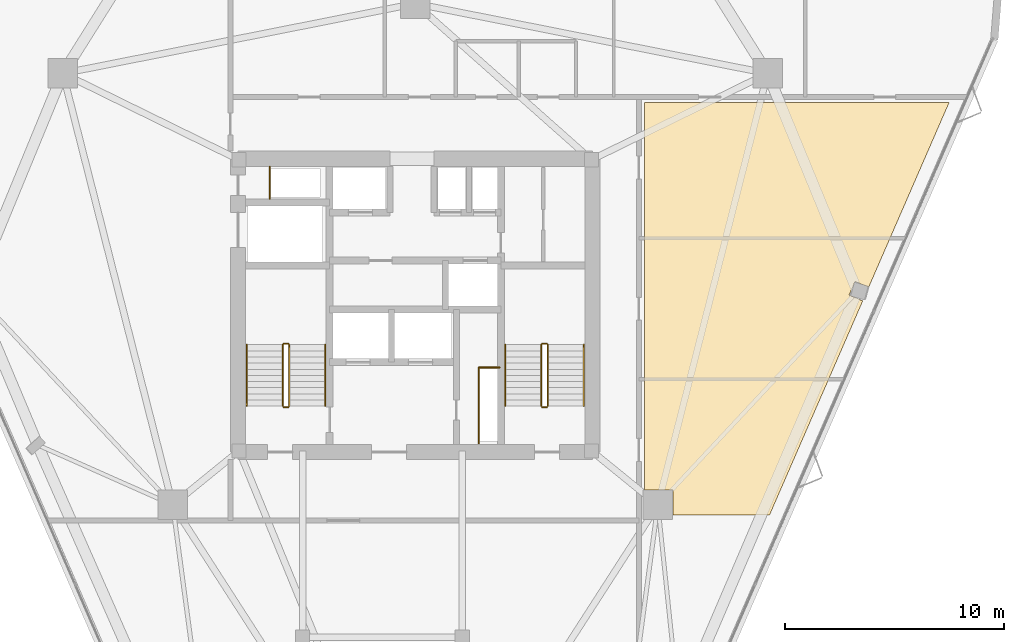
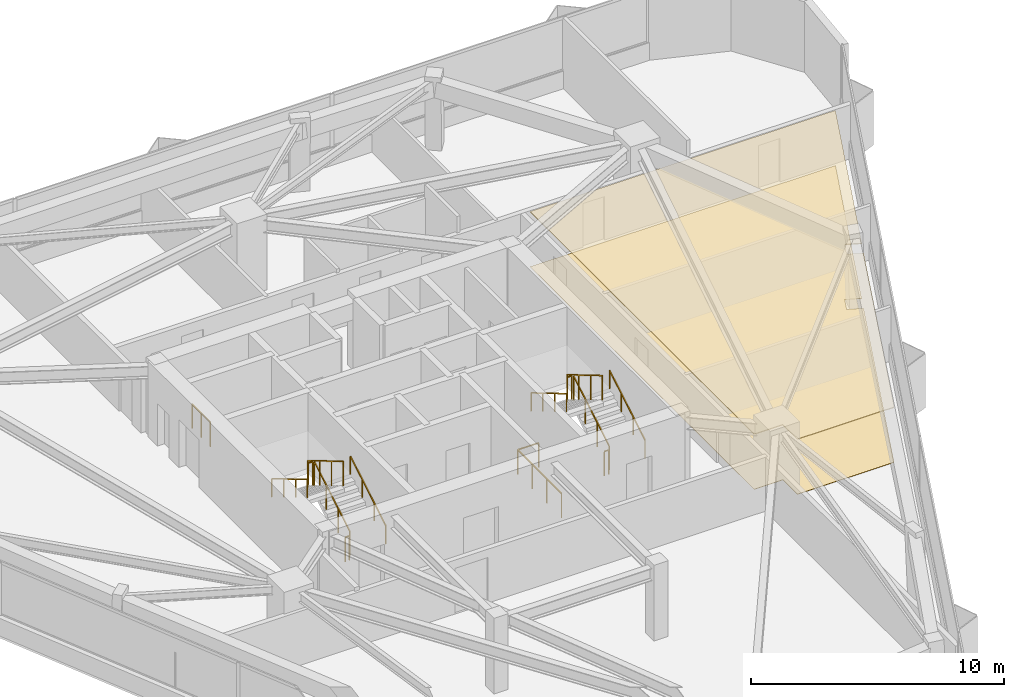
# One storey, part 12 of 12: 14 railings, 2 coverings.
"""IFC4 building model written with IfcOpenShell, lengths in metres."""

from ifc_helpers import new_model, si_unit, direction, frame, origin, origin_2d, place, context, subcontext, project, spatial, polyline, rectangle, outline, extrude, material, layer, layer_set, type_object, element, save


model = new_model("IFC4")

# Units and contexts
model_context = context("Model", 3, precision=1e-05, world=origin(), true_north=direction((0.0, 1.0)))
body_context = subcontext(model_context, "Body", "Model", "MODEL_VIEW")
ifc_project = project(units=[si_unit("LENGTHUNIT", "METRE"), si_unit("AREAUNIT", "SQUARE_METRE"), si_unit("VOLUMEUNIT", "CUBIC_METRE"), si_unit("PLANEANGLEUNIT", "RADIAN"), si_unit("MASSUNIT", "GRAM", prefix="KILO")], contexts=[model_context])

# Site, building, storey
site_placement = place(None, origin())
site = spatial("IfcSite", under=ifc_project, at=site_placement, CompositionType="ELEMENT")
building_placement = place(site_placement, origin())
building = spatial("IfcBuilding", under=site, at=building_placement, Name="Talyreon Biosciences Tower", CompositionType="ELEMENT")
storey_placement = place(building_placement, frame((0.0, 0.0, 179.39990234375)))
storey = spatial("IfcBuildingStorey", under=building, at=storey_placement, Name="L47", CompositionType="ELEMENT", Elevation=179.39990234375)

# Coverings
ifc_material_1 = material(Name="Cleanable acoustic mineral-fibre ceiling tile", Category="gypsum")
ifc_layer_1 = layer(ifc_material_1, 0.0400390625)
ifc_layer_set_1 = layer_set([ifc_layer_1], Name="Cleanable acoustic mineral-fibre ceiling tile")
covering_type_1 = type_object("IfcCoveringType", Name="AcousticCleanroomCeiling_40", PredefinedType="CEILING", material=ifc_layer_set_1)
covering_1_placement = place(storey_placement, frame((0.0, 0.0, 2.64013671875)))
element("IfcCovering", 1, at=covering_1_placement, inside=storey, type_object=covering_type_1, Name="L47 Acoustic Laboratory Ceiling", PredefinedType="CEILING", context=body_context, shape_type="SweptSolid", body=[
    extrude(outline(polyline([(77.776123046875, 58.419921875), (77.776123046875, 59.5703125), (76.469970703125, 59.5703125), (76.469970703125, 77.27001953125), (90.3955078125, 77.27001953125), (86.72021484375, 68.826171875), (86.09814453125, 69.09716796875), (85.82666015625, 68.4736328125), (86.44873046875, 68.20263671875), (82.19091796875, 58.419921875), (77.776123046875, 58.419921875)])), origin(), (0.0, 0.0, 1.0), 0.0400390625),
])
ifc_material_2 = material(Name="Chemical-resistant seamless epoxy resin flooring", Category="plastic")
ifc_layer_2 = layer(ifc_material_2, 0.014892578125)
ifc_layer_set_2 = layer_set([ifc_layer_2], Name="Chemical-resistant seamless epoxy resin flooring")
covering_type_2 = type_object("IfcCoveringType", Name="SeamlessEpoxyLabFlooring_15", PredefinedType="FLOORING", material=ifc_layer_set_2)
covering_2_placement = place(storey_placement, origin())
element("IfcCovering", 2, at=covering_2_placement, inside=storey, type_object=covering_type_2, Name="L47 Laboratory Floor Finish", PredefinedType="FLOORING", context=body_context, shape_type="SweptSolid", body=[
    extrude(outline(polyline([(77.776123046875, 58.419921875), (77.776123046875, 59.5703125), (76.469970703125, 59.5703125), (76.469970703125, 77.27001953125), (90.3955078125, 77.27001953125), (86.72021484375, 68.826171875), (86.09814453125, 69.09716796875), (85.82666015625, 68.4736328125), (86.44873046875, 68.20263671875), (82.19091796875, 58.419921875), (77.776123046875, 58.419921875)])), origin(), (0.0, 0.0, 1.0), 0.01513671875),
])

# Railings
ifc_material_3 = material(Name="Brushed stainless-steel tubular handrail", Category="steel")
railing_type_1 = type_object("IfcRailingType", Name="StairWallHandrail_900", PredefinedType="HANDRAIL", material=ifc_material_3)
railing_1_placement = place(storey_placement, frame((61.8798828125, 63.39990234375, 0.166015625)))
element("IfcRailing", 3, at=railing_1_placement, inside=storey, type_object=railing_type_1, Name="L47 ST-1 stair handrail 1", PredefinedType="HANDRAIL", context=body_context, shape_type="SweptSolid", body=[
    extrude(rectangle(XDim=0.048095703125, YDim=0.048095703125, at=origin_2d()), frame((0.0, 0.0, 0.8759765625), z_axis=(0.0, 0.860306154799, 0.50977771628), x_axis=(-1.0, 0.0, 0.0)), (0.0, 0.0, 1.0), 3.254638671875),
    extrude(rectangle(XDim=0.0419921875, YDim=0.0419921875, at=origin_2d()), origin(), (0.0, 0.0, 1.0), 0.851806640625),
    extrude(rectangle(XDim=0.0419921875, YDim=0.0419921875, at=origin_2d()), frame((0.0, 0.933349609375, 0.552978515625)), (0.0, 0.0, 1.0), 0.851806640625),
    extrude(rectangle(XDim=0.0419921875, YDim=0.0419921875, at=origin_2d()), frame((0.0, 1.86669921875, 1.106201171875)), (0.0, 0.0, 1.0), 0.851806640625),
    extrude(rectangle(XDim=0.0419921875, YDim=0.0419921875, at=origin_2d()), frame((0.0, 2.800048828125, 1.6591796875)), (0.0, 0.0, 1.0), 0.851806640625),
])
railing_2_placement = place(storey_placement, frame((58.300048828125, 66.199951171875, 1.990966796875)))
element("IfcRailing", 4, at=railing_2_placement, inside=storey, type_object=railing_type_1, Name="L47 ST-1 stair handrail 2", PredefinedType="HANDRAIL", context=body_context, shape_type="SweptSolid", body=[
    extrude(rectangle(XDim=0.048095703125, YDim=0.048095703125, at=origin_2d()), frame((0.0, 0.0, 0.8759765625), z_axis=(0.0, -0.860306154799, 0.50977771628), x_axis=(1.0, 0.0, 0.0)), (0.0, 0.0, 1.0), 3.254638671875),
    extrude(rectangle(XDim=0.0419921875, YDim=0.0419921875, at=origin_2d()), origin(), (0.0, 0.0, 1.0), 0.851806640625),
    extrude(rectangle(XDim=0.0419921875, YDim=0.0419921875, at=origin_2d()), frame((0.0, -0.933349609375, 0.552978515625)), (0.0, 0.0, 1.0), 0.851806640625),
    extrude(rectangle(XDim=0.0419921875, YDim=0.0419921875, at=origin_2d()), frame((0.0, -1.86669921875, 1.106201171875)), (0.0, 0.0, 1.0), 0.851806640625),
    extrude(rectangle(XDim=0.0419921875, YDim=0.0419921875, at=origin_2d()), frame((0.0, -2.800048828125, 1.6591796875)), (0.0, 0.0, 1.0), 0.851806640625),
])
railing_3_placement = place(storey_placement, frame((73.699951171875, 63.39990234375, 0.166015625)))
element("IfcRailing", 5, at=railing_3_placement, inside=storey, type_object=railing_type_1, Name="L47 ST-2 stair handrail 1", PredefinedType="HANDRAIL", context=body_context, shape_type="SweptSolid", body=[
    extrude(rectangle(XDim=0.048095703125, YDim=0.048095703125, at=origin_2d()), frame((0.0, 0.0, 0.8759765625), z_axis=(0.0, 0.860306154799, 0.50977771628), x_axis=(-1.0, 0.0, 0.0)), (0.0, 0.0, 1.0), 3.254638671875),
    extrude(rectangle(XDim=0.0419921875, YDim=0.0419921875, at=origin_2d()), origin(), (0.0, 0.0, 1.0), 0.851806640625),
    extrude(rectangle(XDim=0.0419921875, YDim=0.0419921875, at=origin_2d()), frame((0.0, 0.933349609375, 0.552978515625)), (0.0, 0.0, 1.0), 0.851806640625),
    extrude(rectangle(XDim=0.0419921875, YDim=0.0419921875, at=origin_2d()), frame((0.0, 1.86669921875, 1.106201171875)), (0.0, 0.0, 1.0), 0.851806640625),
    extrude(rectangle(XDim=0.0419921875, YDim=0.0419921875, at=origin_2d()), frame((0.0, 2.800048828125, 1.6591796875)), (0.0, 0.0, 1.0), 0.851806640625),
])
railing_4_placement = place(storey_placement, frame((70.1201171875, 66.199951171875, 1.990966796875)))
element("IfcRailing", 6, at=railing_4_placement, inside=storey, type_object=railing_type_1, Name="L47 ST-2 stair handrail 2", PredefinedType="HANDRAIL", context=body_context, shape_type="SweptSolid", body=[
    extrude(rectangle(XDim=0.048095703125, YDim=0.048095703125, at=origin_2d()), frame((0.0, 0.0, 0.8759765625), z_axis=(0.0, -0.860306154799, 0.50977771628), x_axis=(1.0, 0.0, 0.0)), (0.0, 0.0, 1.0), 3.254638671875),
    extrude(rectangle(XDim=0.0419921875, YDim=0.0419921875, at=origin_2d()), origin(), (0.0, 0.0, 1.0), 0.851806640625),
    extrude(rectangle(XDim=0.0419921875, YDim=0.0419921875, at=origin_2d()), frame((0.0, -0.933349609375, 0.552978515625)), (0.0, 0.0, 1.0), 0.851806640625),
    extrude(rectangle(XDim=0.0419921875, YDim=0.0419921875, at=origin_2d()), frame((0.0, -1.86669921875, 1.106201171875)), (0.0, 0.0, 1.0), 0.851806640625),
    extrude(rectangle(XDim=0.0419921875, YDim=0.0419921875, at=origin_2d()), frame((0.0, -2.800048828125, 1.6591796875)), (0.0, 0.0, 1.0), 0.851806640625),
])
ifc_material_4 = material(Name="Painted galvanised steel post-and-rail balustrade", Category="steel")
railing_type_2 = type_object("IfcRailingType", Name="TerraceStairGuard_1200", PredefinedType="GUARDRAIL", material=ifc_material_4)
railing_5_placement = place(storey_placement, frame((60.239990234375, 63.39990234375, 0.166015625)))
element("IfcRailing", 7, at=railing_5_placement, inside=storey, type_object=railing_type_2, Name="L47 ST-1 stair guard 1", PredefinedType="GUARDRAIL", context=body_context, shape_type="SweptSolid", body=[
    extrude(rectangle(XDim=0.048095703125, YDim=0.048095703125, at=origin_2d()), frame((0.0, 0.0, 1.17578125), z_axis=(0.0, 0.860306154799, 0.50977771628), x_axis=(-1.0, 0.0, 0.0)), (0.0, 0.0, 1.0), 3.254638671875),
    extrude(rectangle(XDim=0.0419921875, YDim=0.0419921875, at=origin_2d()), origin(), (0.0, 0.0, 1.0), 1.15185546875),
    extrude(rectangle(XDim=0.0419921875, YDim=0.0419921875, at=origin_2d()), frame((0.0, 0.933349609375, 0.552978515625)), (0.0, 0.0, 1.0), 1.15185546875),
    extrude(rectangle(XDim=0.0419921875, YDim=0.0419921875, at=origin_2d()), frame((0.0, 1.86669921875, 1.106201171875)), (0.0, 0.0, 1.0), 1.15185546875),
    extrude(rectangle(XDim=0.0419921875, YDim=0.0419921875, at=origin_2d()), frame((0.0, 2.800048828125, 1.6591796875)), (0.0, 0.0, 1.0), 1.15185546875),
])
railing_6_placement = place(storey_placement, frame((60.18994140625, 66.25, 1.8251953125)))
element("IfcRailing", 8, at=railing_6_placement, inside=storey, type_object=railing_type_2, Name="L47 ST-1 stair guard 2", PredefinedType="GUARDRAIL", context=body_context, shape_type="SweptSolid", body=[
    extrude(rectangle(XDim=0.048095703125, YDim=0.048095703125, at=origin_2d()), frame((0.0, 0.0, 1.17578125), z_axis=(-1.0, 0.0, 0.0), x_axis=(0.0, -1.0, 0.0)), (0.0, 0.0, 1.0), 0.199951171875),
    extrude(rectangle(XDim=0.0419921875, YDim=0.0419921875, at=origin_2d()), origin(), (0.0, 0.0, 1.0), 1.15185546875),
    extrude(rectangle(XDim=0.0419921875, YDim=0.0419921875, at=origin_2d()), frame((-0.199951171875, 0.0, 0.0)), (0.0, 0.0, 1.0), 1.15185546875),
])
railing_7_placement = place(storey_placement, frame((59.93994140625, 66.199951171875, 1.990966796875)))
element("IfcRailing", 9, at=railing_7_placement, inside=storey, type_object=railing_type_2, Name="L47 ST-1 stair guard 3", PredefinedType="GUARDRAIL", context=body_context, shape_type="SweptSolid", body=[
    extrude(rectangle(XDim=0.048095703125, YDim=0.048095703125, at=origin_2d()), frame((0.0, 0.0, 1.17578125), z_axis=(0.0, -0.860306154799, 0.50977771628), x_axis=(1.0, 0.0, 0.0)), (0.0, 0.0, 1.0), 3.254638671875),
    extrude(rectangle(XDim=0.0419921875, YDim=0.0419921875, at=origin_2d()), origin(), (0.0, 0.0, 1.0), 1.15185546875),
    extrude(rectangle(XDim=0.0419921875, YDim=0.0419921875, at=origin_2d()), frame((0.0, -0.933349609375, 0.552978515625)), (0.0, 0.0, 1.0), 1.15185546875),
    extrude(rectangle(XDim=0.0419921875, YDim=0.0419921875, at=origin_2d()), frame((0.0, -1.86669921875, 1.106201171875)), (0.0, 0.0, 1.0), 1.15185546875),
    extrude(rectangle(XDim=0.0419921875, YDim=0.0419921875, at=origin_2d()), frame((0.0, -2.800048828125, 1.6591796875)), (0.0, 0.0, 1.0), 1.15185546875),
])
railing_8_placement = place(storey_placement, frame((60.18994140625, 63.35009765625, 0.0)))
element("IfcRailing", 10, at=railing_8_placement, inside=storey, type_object=railing_type_2, Name="L47 ST-1 stair guard 4", PredefinedType="GUARDRAIL", context=body_context, shape_type="SweptSolid", body=[
    extrude(rectangle(XDim=0.048095703125, YDim=0.048095703125, at=origin_2d()), frame((0.0, 0.0, 1.17578125), z_axis=(-1.0, 0.0, 0.0), x_axis=(0.0, -1.0, 0.0)), (0.0, 0.0, 1.0), 0.199951171875),
    extrude(rectangle(XDim=0.0419921875, YDim=0.0419921875, at=origin_2d()), origin(), (0.0, 0.0, 1.0), 1.15185546875),
    extrude(rectangle(XDim=0.0419921875, YDim=0.0419921875, at=origin_2d()), frame((-0.199951171875, 0.0, 0.0)), (0.0, 0.0, 1.0), 1.15185546875),
])
railing_9_placement = place(storey_placement, frame((72.06005859375, 63.39990234375, 0.166015625)))
element("IfcRailing", 11, at=railing_9_placement, inside=storey, type_object=railing_type_2, Name="L47 ST-2 stair guard 1", PredefinedType="GUARDRAIL", context=body_context, shape_type="SweptSolid", body=[
    extrude(rectangle(XDim=0.048095703125, YDim=0.048095703125, at=origin_2d()), frame((0.0, 0.0, 1.17578125), z_axis=(0.0, 0.860306154799, 0.50977771628), x_axis=(-1.0, 0.0, 0.0)), (0.0, 0.0, 1.0), 3.254638671875),
    extrude(rectangle(XDim=0.0419921875, YDim=0.0419921875, at=origin_2d()), origin(), (0.0, 0.0, 1.0), 1.15185546875),
    extrude(rectangle(XDim=0.0419921875, YDim=0.0419921875, at=origin_2d()), frame((0.0, 0.933349609375, 0.552978515625)), (0.0, 0.0, 1.0), 1.15185546875),
    extrude(rectangle(XDim=0.0419921875, YDim=0.0419921875, at=origin_2d()), frame((0.0, 1.86669921875, 1.106201171875)), (0.0, 0.0, 1.0), 1.15185546875),
    extrude(rectangle(XDim=0.0419921875, YDim=0.0419921875, at=origin_2d()), frame((0.0, 2.800048828125, 1.6591796875)), (0.0, 0.0, 1.0), 1.15185546875),
])
railing_10_placement = place(storey_placement, frame((72.010009765625, 66.25, 1.8251953125)))
element("IfcRailing", 12, at=railing_10_placement, inside=storey, type_object=railing_type_2, Name="L47 ST-2 stair guard 2", PredefinedType="GUARDRAIL", context=body_context, shape_type="SweptSolid", body=[
    extrude(rectangle(XDim=0.048095703125, YDim=0.048095703125, at=origin_2d()), frame((0.0, 0.0, 1.17578125), z_axis=(-1.0, 0.0, 0.0), x_axis=(0.0, -1.0, 0.0)), (0.0, 0.0, 1.0), 0.199951171875),
    extrude(rectangle(XDim=0.0419921875, YDim=0.0419921875, at=origin_2d()), origin(), (0.0, 0.0, 1.0), 1.15185546875),
    extrude(rectangle(XDim=0.0419921875, YDim=0.0419921875, at=origin_2d()), frame((-0.199951171875, 0.0, 0.0)), (0.0, 0.0, 1.0), 1.15185546875),
])
railing_11_placement = place(storey_placement, frame((71.760009765625, 66.199951171875, 1.990966796875)))
element("IfcRailing", 13, at=railing_11_placement, inside=storey, type_object=railing_type_2, Name="L47 ST-2 stair guard 3", PredefinedType="GUARDRAIL", context=body_context, shape_type="SweptSolid", body=[
    extrude(rectangle(XDim=0.048095703125, YDim=0.048095703125, at=origin_2d()), frame((0.0, 0.0, 1.17578125), z_axis=(0.0, -0.860306154799, 0.50977771628), x_axis=(1.0, 0.0, 0.0)), (0.0, 0.0, 1.0), 3.254638671875),
    extrude(rectangle(XDim=0.0419921875, YDim=0.0419921875, at=origin_2d()), origin(), (0.0, 0.0, 1.0), 1.15185546875),
    extrude(rectangle(XDim=0.0419921875, YDim=0.0419921875, at=origin_2d()), frame((0.0, -0.933349609375, 0.552978515625)), (0.0, 0.0, 1.0), 1.15185546875),
    extrude(rectangle(XDim=0.0419921875, YDim=0.0419921875, at=origin_2d()), frame((0.0, -1.86669921875, 1.106201171875)), (0.0, 0.0, 1.0), 1.15185546875),
    extrude(rectangle(XDim=0.0419921875, YDim=0.0419921875, at=origin_2d()), frame((0.0, -2.800048828125, 1.6591796875)), (0.0, 0.0, 1.0), 1.15185546875),
])
railing_12_placement = place(storey_placement, frame((72.010009765625, 63.35009765625, 0.0)))
element("IfcRailing", 14, at=railing_12_placement, inside=storey, type_object=railing_type_2, Name="L47 ST-2 stair guard 4", PredefinedType="GUARDRAIL", context=body_context, shape_type="SweptSolid", body=[
    extrude(rectangle(XDim=0.048095703125, YDim=0.048095703125, at=origin_2d()), frame((0.0, 0.0, 1.17578125), z_axis=(-1.0, 0.0, 0.0), x_axis=(0.0, -1.0, 0.0)), (0.0, 0.0, 1.0), 0.199951171875),
    extrude(rectangle(XDim=0.0419921875, YDim=0.0419921875, at=origin_2d()), origin(), (0.0, 0.0, 1.0), 1.15185546875),
    extrude(rectangle(XDim=0.0419921875, YDim=0.0419921875, at=origin_2d()), frame((-0.199951171875, 0.0, 0.0)), (0.0, 0.0, 1.0), 1.15185546875),
])
railing_13_placement = place(storey_placement, frame((59.35009765625, 72.8798828125, 0.0)))
element("IfcRailing", 15, at=railing_13_placement, inside=storey, type_object=railing_type_2, Name="L47 Exhaust Riser Maintenance Guardrail", PredefinedType="GUARDRAIL", context=body_context, shape_type="SweptSolid", body=[
    extrude(rectangle(XDim=0.048095703125, YDim=0.048095703125, at=origin_2d()), frame((0.0, 0.0, 1.17578125), z_axis=(0.0, 1.0, 0.0), x_axis=(-1.0, 0.0, 0.0)), (0.0, 0.0, 1.0), 1.4501953125),
    extrude(rectangle(XDim=0.0419921875, YDim=0.0419921875, at=origin_2d()), origin(), (0.0, 0.0, 1.0), 1.15185546875),
    extrude(rectangle(XDim=0.0419921875, YDim=0.0419921875, at=origin_2d()), frame((0.0, 0.72509765625, 0.0)), (0.0, 0.0, 1.0), 1.15185546875),
    extrude(rectangle(XDim=0.0419921875, YDim=0.0419921875, at=origin_2d()), frame((0.0, 1.4501953125, 0.0)), (0.0, 0.0, 1.0), 1.15185546875),
])
railing_14_placement = place(storey_placement, frame((68.909912109375, 61.699951171875, 0.0)))
element("IfcRailing", 16, at=railing_14_placement, inside=storey, type_object=railing_type_2, Name="L47 Electrical Riser Maintenance Guardrail", PredefinedType="GUARDRAIL", context=body_context, shape_type="SweptSolid", body=[
    extrude(rectangle(XDim=0.048095703125, YDim=0.048095703125, at=origin_2d()), frame((0.0, 0.0, 1.17578125), z_axis=(0.0, 1.0, 0.0), x_axis=(-1.0, 0.0, 0.0)), (0.0, 0.0, 1.0), 3.4599609375),
    extrude(rectangle(XDim=0.048095703125, YDim=0.048095703125, at=origin_2d()), frame((0.0, 3.4599609375, 1.17578125), z_axis=(1.0, 0.0, 0.0), x_axis=(0.0, 1.0, 0.0)), (0.0, 0.0, 1.0), 0.9501953125),
    extrude(rectangle(XDim=0.0419921875, YDim=0.0419921875, at=origin_2d()), origin(), (0.0, 0.0, 1.0), 1.15185546875),
    extrude(rectangle(XDim=0.0419921875, YDim=0.0419921875, at=origin_2d()), frame((0.0, 1.1533203125, 0.0)), (0.0, 0.0, 1.0), 1.15185546875),
    extrude(rectangle(XDim=0.0419921875, YDim=0.0419921875, at=origin_2d()), frame((0.0, 2.306640625, 0.0)), (0.0, 0.0, 1.0), 1.15185546875),
    extrude(rectangle(XDim=0.0419921875, YDim=0.0419921875, at=origin_2d()), frame((0.0, 3.4599609375, 0.0)), (0.0, 0.0, 1.0), 1.15185546875),
    extrude(rectangle(XDim=0.0419921875, YDim=0.0419921875, at=origin_2d()), frame((0.9501953125, 3.4599609375, 0.0)), (0.0, 0.0, 1.0), 1.15185546875),
])

save(model, "model.ifc")
